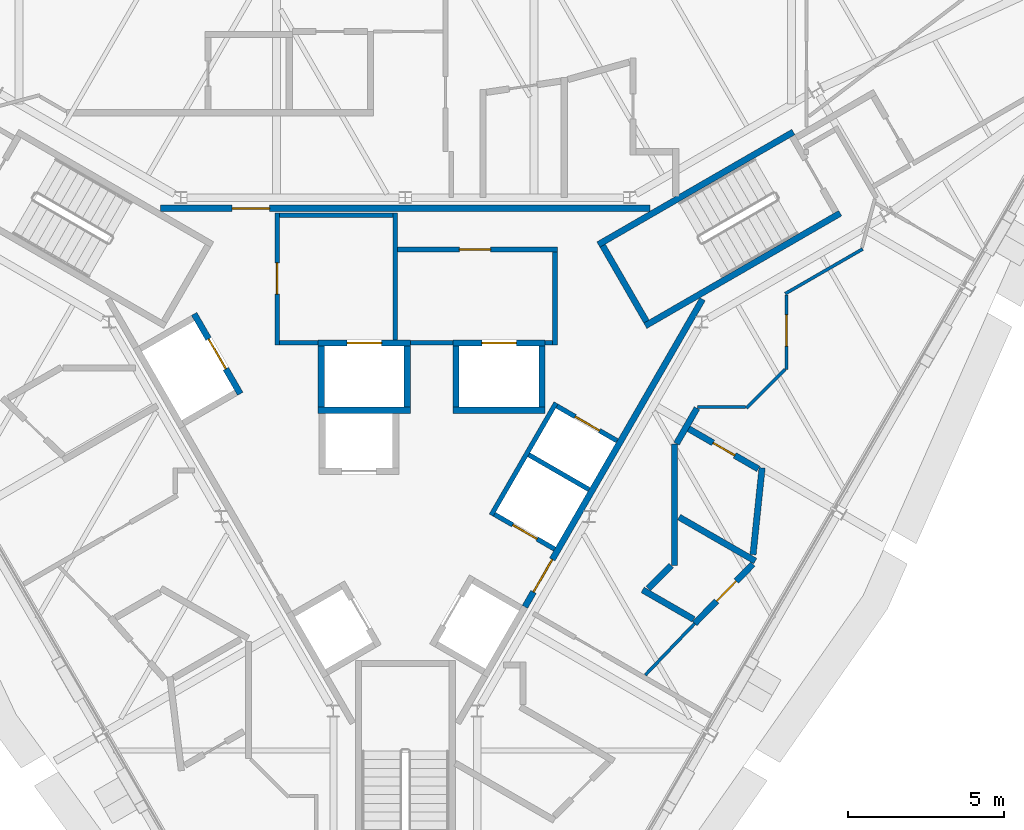
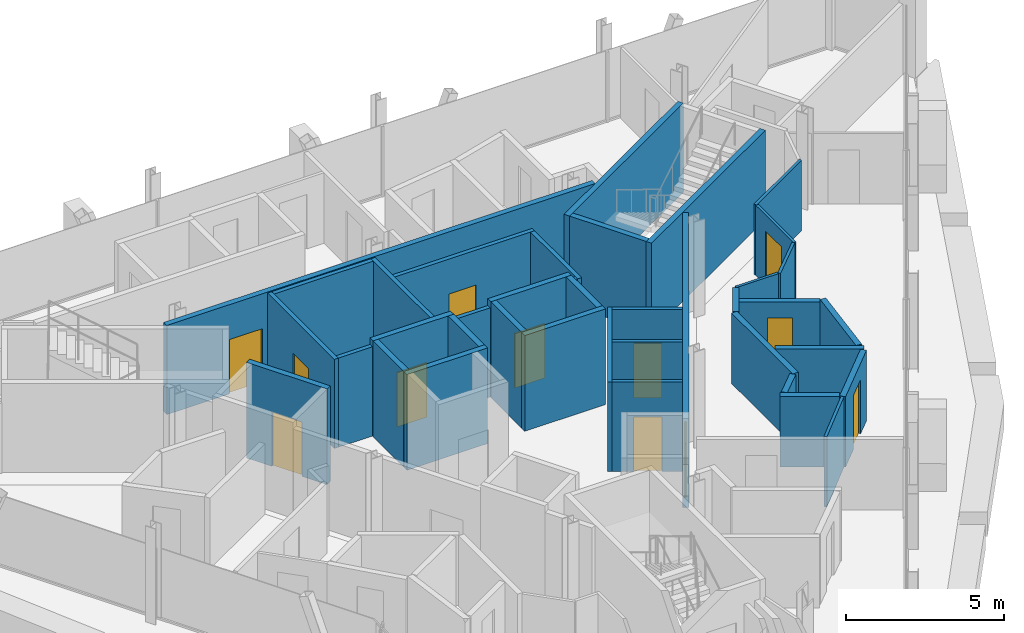
# One storey, part 9 of 13: 39 walls, 12 doors, 12 openings.
"""IFC4 building model written with IfcOpenShell, lengths in metres."""

import ifcopenshell
import ifcopenshell.guid

model = None  # the IFC model being written
_history = None  # IfcOwnerHistory: only IFC2X3 demands one
_inside = {}  # id of a spatial element -> (the spatial element, [elements in it])
_under = {}  # id of a project, library or spatial element -> (it, [spatial elements below it])
_declared = {}  # id of a project -> (the project, [libraries it declares])
_typed = {}  # id of a type object -> (the type object, [elements of that type])
_made_of = {}  # id of a material, layer set ... -> (it, [elements and type objects made of it])


def new_model(schema):
    """Start an empty IFC model of exactly this schema.

    Asked for "IFC4X3", IfcOpenShell would pick the latest addendum, in which some entities
    have other attributes; the version numbers below select the first issue.
    IFC2X3 requires an IfcOwnerHistory on every rooted entity: one is made here for all.
    """
    global model, _history
    if schema == "IFC4X3":
        model = ifcopenshell.file(schema_version=(4, 3, 0, 0))
    else:
        model = ifcopenshell.file(schema=schema)
    _inside.clear()
    _under.clear()
    _declared.clear()
    _typed.clear()
    _made_of.clear()
    _history = None
    if model.schema == "IFC2X3":
        org = make("IfcOrganization", Name="unknown")
        user = make(
            "IfcPersonAndOrganization",
            ThePerson=make("IfcPerson", FamilyName="unknown"),
            TheOrganization=org,
        )
        app = make(
            "IfcApplication",
            ApplicationDeveloper=org,
            Version="unknown",
            ApplicationFullName="unknown",
            ApplicationIdentifier="unknown",
        )
        _history = make(
            "IfcOwnerHistory",
            OwningUser=user,
            OwningApplication=app,
            ChangeAction="ADDED",
            CreationDate=0,
        )
    return model


def make(cls, **values):
    """One entity of the class cls with the attributes given. An attribute that is None is left unset."""
    return model.create_entity(
        cls, **{name: value for name, value in values.items() if value is not None}
    )


def rooted(cls, **values):
    """An entity with a GlobalId (a new one), such as an element, a storey or a relation."""
    return make(cls, GlobalId=ifcopenshell.guid.new(), OwnerHistory=_history, **values)


def si_unit(unit_type, name, prefix=None):
    """IfcSIUnit, for example si_unit("LENGTHUNIT", "METRE", prefix="MILLI")."""
    return make("IfcSIUnit", UnitType=unit_type, Prefix=prefix, Name=name)


def assignment(units):
    """IfcUnitAssignment: the units of a project."""
    return None if units is None else make("IfcUnitAssignment", Units=units)


def point(xyz):
    """IfcCartesianPoint."""
    return None if xyz is None else make("IfcCartesianPoint", Coordinates=xyz)


def direction(xyz):
    """IfcDirection."""
    return None if xyz is None else make("IfcDirection", DirectionRatios=xyz)


def frame(location, z_axis=None, x_axis=None):
    """IfcAxis2Placement3D, a coordinate frame: its origin and axes. An axis left out is left unset."""
    return make(
        "IfcAxis2Placement3D",
        Location=point(location),
        Axis=direction(z_axis),
        RefDirection=direction(x_axis),
    )


def frame_2d(location, x_axis=None):
    """IfcAxis2Placement2D, a coordinate frame in the plane: its origin and x axis."""
    return make(
        "IfcAxis2Placement2D", Location=point(location), RefDirection=direction(x_axis)
    )


def origin():
    """The frame at (0, 0, 0) with its axes left unset."""
    return frame((0.0, 0.0, 0.0))


def place(relative_to, where):
    """IfcLocalPlacement: puts the frame where relative to a parent placement (None: the world)."""
    return make(
        "IfcLocalPlacement", PlacementRelTo=relative_to, RelativePlacement=where
    )


def context(
    kind, dimensions, precision=None, world=None, true_north=None, identifier=None
):
    """IfcGeometricRepresentationContext, for example the 3D "Model" context."""
    return make(
        "IfcGeometricRepresentationContext",
        ContextIdentifier=identifier,
        ContextType=kind,
        CoordinateSpaceDimension=dimensions,
        Precision=precision,
        WorldCoordinateSystem=world,
        TrueNorth=true_north,
    )


def subcontext(parent, identifier, kind, view, scale=None):
    """IfcGeometricRepresentationSubContext, for example "Body" below "Model"."""
    return make(
        "IfcGeometricRepresentationSubContext",
        ContextIdentifier=identifier,
        ContextType=kind,
        ParentContext=parent,
        TargetScale=scale,
        TargetView=view,
    )


def project(units=None, contexts=None):
    """IfcProject with its units and contexts."""
    return rooted(
        "IfcProject",
        Name="project",
        RepresentationContexts=contexts,
        UnitsInContext=assignment(units),
    )


def spatial(cls, under=None, at=None, **own):
    """A site, building, storey or space (cls), placed at a placement, below another one or the project."""
    s = rooted(cls, ObjectPlacement=at, **own)
    if under is not None:
        _under.setdefault(under.id(), (under, []))[1].append(s)
    return s


def profile(cls, at=None, kind="AREA", **sizes):
    """A parametric profile (cls). Its sizes go by their IFC names, for example OverallWidth=200.0."""
    return make(cls, ProfileType=kind, Position=at, **sizes)


def rectangle(**sizes):
    """IfcRectangleProfileDef."""
    return profile("IfcRectangleProfileDef", **sizes)


def extrude(swept, where, along, depth):
    """IfcExtrudedAreaSolid: the profile swept, set in the frame where, extruded along a direction by depth."""
    return make(
        "IfcExtrudedAreaSolid",
        SweptArea=swept,
        Position=where,
        ExtrudedDirection=direction(along),
        Depth=depth,
    )


def shape(context_of_items, identifier, shape_type, items):
    """IfcShapeRepresentation: the items that make up one representation, for example the "Body"."""
    return make(
        "IfcShapeRepresentation",
        ContextOfItems=context_of_items,
        RepresentationIdentifier=identifier,
        RepresentationType=shape_type,
        Items=items,
    )


def material(Name=None, Category=None):
    """IfcMaterial."""
    return make("IfcMaterial", Name=Name, Category=Category)


def layer(
    of_material, thickness, ventilated=None, Name=None, Category=None, Priority=None
):
    """IfcMaterialLayer: one layer of a wall or slab, of a material (None: an air gap)."""
    return make(
        "IfcMaterialLayer",
        Material=of_material,
        LayerThickness=thickness,
        IsVentilated=ventilated,
        Name=Name,
        Category=Category,
        Priority=Priority,
    )


def layer_set(layers, Name=None):
    """IfcMaterialLayerSet."""
    return make("IfcMaterialLayerSet", MaterialLayers=layers, LayerSetName=Name)


def made_of(thing, what):
    """Note that an element or type object is made of a material, layer set ...; save() writes the relation."""
    if what is not None:
        _made_of.setdefault(what.id(), (what, []))[1].append(thing)
    return thing


def type_object(cls, material=None, **own):
    """A type object (cls), such as IfcWallType, which elements share."""
    return made_of(rooted(cls, **own), material)


def element(
    cls,
    number,
    at=None,
    inside=None,
    cuts=None,
    type_object=None,
    material=None,
    context=None,
    identifier="Body",
    shape_type=None,
    held_by="IfcProductDefinitionShape",
    body=None,
    shapes=None,
    **own,
):
    """One element of the class cls, such as IfcWall. Its Tag is "e" and its number.

    at: its placement. inside: the storey or other place that contains it. cuts: it is an
    opening in that element (IfcRelVoidsElement). A single representation is given by context,
    identifier, shape_type and body (its items); several are given by shapes. held_by: the class
    of the entity that holds the representations. save() writes the other relations.
    """
    e = rooted(cls, Tag="e%d" % number, ObjectPlacement=at, **own)
    if body is not None:
        shapes = [shape(context, identifier, shape_type, body)]
    if shapes is not None:
        e.Representation = make(held_by, Representations=shapes)
    if inside is not None:
        _inside.setdefault(inside.id(), (inside, []))[1].append(e)
    if cuts is not None:
        rooted(
            "IfcRelVoidsElement", RelatingBuildingElement=cuts, RelatedOpeningElement=e
        )
    if type_object is not None:
        _typed.setdefault(type_object.id(), (type_object, []))[1].append(e)
    return made_of(e, material)


def fill(opening, filler):
    """IfcRelFillsElement: the door or window that sits in an opening."""
    return rooted(
        "IfcRelFillsElement",
        RelatingOpeningElement=opening,
        RelatedBuildingElement=filler,
    )


def aggregate(whole, parts):
    """IfcRelAggregates: a whole, such as a stair, and the parts it consists of."""
    return rooted("IfcRelAggregates", RelatingObject=whole, RelatedObjects=parts)


def save(model, path):
    """Write the relations noted so far, then the file.

    IfcRelAggregates (storeys below a building ...), IfcRelContainedInSpatialStructure (elements
    in a storey), IfcRelDefinesByType, IfcRelAssociatesMaterial and IfcRelDeclares: one each for
    every whole, place, type object, material and project.
    """
    for whole, parts in _under.values():
        aggregate(whole, parts)
    for where, things in _inside.values():
        rooted(
            "IfcRelContainedInSpatialStructure",
            RelatedElements=things,
            RelatingStructure=where,
        )
    for kind, things in _typed.values():
        rooted("IfcRelDefinesByType", RelatedObjects=things, RelatingType=kind)
    for what, things in _made_of.values():
        rooted("IfcRelAssociatesMaterial", RelatedObjects=things, RelatingMaterial=what)
    for by, libraries in _declared.values():
        rooted("IfcRelDeclares", RelatingContext=by, RelatedDefinitions=libraries)
    model.write(path)


model = new_model("IFC4")

# Units and contexts
model_context = context("Model", 3, precision=1e-05, world=origin(), true_north=direction((0.0, 1.0)))
body_context = subcontext(model_context, "Body", "Model", "MODEL_VIEW")
ifc_project = project(units=[si_unit("LENGTHUNIT", "METRE"), si_unit("AREAUNIT", "SQUARE_METRE"), si_unit("VOLUMEUNIT", "CUBIC_METRE"), si_unit("PLANEANGLEUNIT", "RADIAN"), si_unit("MASSUNIT", "GRAM", prefix="KILO")], contexts=[model_context])

# Site, building, storey
site_placement = place(None, origin())
site = spatial("IfcSite", under=ifc_project, at=site_placement, CompositionType="ELEMENT")
building_placement = place(site_placement, origin())
building = spatial("IfcBuilding", under=site, at=building_placement, Name="Verrane Prism Tower", CompositionType="ELEMENT")
storey_placement = place(building_placement, frame((0.0, 0.0, 289.89990234375)))
storey = spatial("IfcBuildingStorey", under=building, at=storey_placement, Name="L73", CompositionType="ELEMENT", Elevation=289.89990234375)

# Wall, opening, door
ifc_material_1 = material(Name="Gypsum board partition", Category="other")
ifc_layer_1 = layer(ifc_material_1, 0.199951171875)
ifc_layer_set_1 = layer_set([ifc_layer_1], Name="CW-200 core boundary wall 2 h")
wall_type_1 = type_object("IfcWallType", Name="CW-200 core boundary wall 2 h", PredefinedType="PARTITIONING", material=ifc_layer_set_1)
wall_1_placement = place(storey_placement, frame((7.8291015625, 6.4599609375, 0.0), z_axis=(0.0, 0.0, 1.0), x_axis=(-1.0, 0.0, 0.0)))
wall_1 = element("IfcWall", 1, at=wall_1_placement, inside=storey, type_object=wall_type_1, Name="Core boundary wall CW3-002", PredefinedType="PARTITIONING", context=body_context, shape_type="SweptSolid", body=[
    extrude(rectangle(XDim=15.658203125, YDim=0.199951171875, at=frame_2d((7.8291015625, 0.0))), origin(), (0.0, 0.0, 1.0), 3.4501953125),
])
opening_1_placement = place(wall_1_placement, frame((12.16796875, 0.0, 0.0)))
opening_1 = element("IfcOpeningElement", 2, at=opening_1_placement, cuts=wall_1, Name="Opening D72509", PredefinedType="OPENING", context=body_context, shape_type="SweptSolid", body=[
    extrude(rectangle(XDim=1.199951171875, YDim=2.10009765625, at=frame_2d((0.60009765625, 1.050048828125))), frame((0.0, 0.10986328125, 0.0), z_axis=(0.0, -1.0, 0.0), x_axis=(1.0, 0.0, 0.0)), (0.0, 0.0, 1.0), 0.219970703125),
])
ifc_material_2 = material(Name="Timber veneered door leaf", Category="wood")
door_type_1 = type_object("IfcDoorType", Name="DR-1200x2100 FD60 single leaf lift lobby", OperationType="NOTDEFINED", PredefinedType="DOOR", material=ifc_material_2)
door_1_placement = place(opening_1_placement, origin())
door_1 = element("IfcDoor", 3, at=door_1_placement, inside=storey, type_object=door_type_1, Name="Lift lobby door D72509", OperationType="SINGLE_SWING_RIGHT", OverallHeight=2.10009765625, OverallWidth=1.199951171875, PredefinedType="DOOR", context=body_context, shape_type="SweptSolid", body=[
    extrude(rectangle(XDim=1.199951171875, YDim=2.10009765625, at=frame_2d((0.60009765625, 1.050048828125))), frame((0.0, 0.02490234375, 0.0), z_axis=(0.0, -1.0, 0.0), x_axis=(1.0, 0.0, 0.0)), (0.0, 0.0, 1.0), 0.050048828125),
])
fill(opening_1, door_1)

wall_2_placement = place(storey_placement, frame((3.827880859375, -6.2900390625, 0.0), z_axis=(0.0, 0.0, 1.0), x_axis=(0.499979739078, 0.866037101117, 0.0)))
wall_2 = element("IfcWall", 4, at=wall_2_placement, inside=storey, type_object=wall_type_1, Name="Core boundary wall CW3-006", PredefinedType="PARTITIONING", context=body_context, shape_type="SweptSolid", body=[
    extrude(rectangle(XDim=11.36279296875, YDim=0.199951171875, at=frame_2d((5.681396484375, 0.0))), origin(), (0.0, 0.0, 1.0), 3.4501953125),
])
opening_2_placement = place(wall_2_placement, frame((0.550048828125, 0.0, 0.0)))
opening_2 = element("IfcOpeningElement", 5, at=opening_2_placement, cuts=wall_2, Name="Opening D72514", PredefinedType="OPENING", context=body_context, shape_type="SweptSolid", body=[
    extrude(rectangle(XDim=1.199951171875, YDim=2.10009765625, at=frame_2d((0.60009765625, 1.050048828125))), frame((0.0, 0.10986328125, 0.0), z_axis=(0.0, -1.0, 0.0), x_axis=(1.0, 0.0, 0.0)), (0.0, 0.0, 1.0), 0.219970703125),
])
door_2_placement = place(opening_2_placement, origin())
door_2 = element("IfcDoor", 6, at=door_2_placement, inside=storey, type_object=door_type_1, Name="Lift lobby door D72514", OperationType="SINGLE_SWING_RIGHT", OverallHeight=2.10009765625, OverallWidth=1.199951171875, PredefinedType="DOOR", context=body_context, shape_type="SweptSolid", body=[
    extrude(rectangle(XDim=1.199951171875, YDim=2.10009765625, at=frame_2d((0.60009765625, 1.050048828125))), frame((0.0, 0.02490234375, 0.0), z_axis=(0.0, -1.0, 0.0), x_axis=(1.0, 0.0, 0.0)), (0.0, 0.0, 1.0), 0.050048828125),
])
fill(opening_2, door_2)

# Walls
ifc_material_3 = material(Name="Concrete C40/50", Category="concrete")
ifc_layer_2 = layer(ifc_material_3, 0.199951171875)
ifc_layer_set_2 = layer_set([ifc_layer_2], Name="CW-200 stair core wall concrete C40/50 3 h")
wall_type_2 = type_object("IfcWallType", Name="CW-200 stair core wall concrete C40/50 3 h", PredefinedType="PARTITIONING", material=ifc_layer_set_2)
for number, where, z_axis, x_axis, name in (
    (7, (6.17822265625, 5.299072265625, 0.0), (0.0, 0.0, 1.0), (0.866033125095, 0.499986626058, 0.0), "Stair 1 enclosure wall"),
    (8, (7.67822265625, 2.700927734375, 0.0), (0.0, 0.0, 1.0), (0.866018442252, 0.500012057535, 0.0), "Stair 1 enclosure wall"),
):
    element("IfcWall", number, at=place(storey_placement, frame(where, z_axis=z_axis, x_axis=x_axis)), inside=storey, type_object=wall_type_2, Name=name, PredefinedType="PARTITIONING", context=body_context, shape_type="SweptSolid", body=[
        extrude(rectangle(XDim=7.199951171875, YDim=0.199951171875, at=frame_2d((3.60009765625, 0.0))), origin(), (0.0, 0.0, 1.0), 3.4501953125),
    ])
wall_3_placement = place(storey_placement, frame((7.71484375, 2.837646484375, 0.0), z_axis=(0.0, 0.0, 1.0), x_axis=(-0.500049511043, 0.865996816683, 0.0)))
element("IfcWall", 9, at=wall_3_placement, inside=storey, type_object=wall_type_2, Name="Stair 1 enclosure wall", PredefinedType="PARTITIONING", context=body_context, shape_type="SweptSolid", body=[
    extrude(rectangle(XDim=2.800048828125, YDim=0.199951171875, at=frame_2d((1.39990234375, 0.0))), origin(), (0.0, 0.0, 1.0), 3.4501953125),
])
ifc_material_4 = material(Name="Gypsum board shaft wall assembly", Category="other")
ifc_layer_3 = layer(ifc_material_4, 0.199951171875)
ifc_layer_set_3 = layer_set([ifc_layer_3], Name="HW-200 lift shaft wall 2 h")
wall_type_3 = type_object("IfcWallType", Name="HW-200 lift shaft wall 2 h", PredefinedType="PARTITIONING", material=ifc_layer_set_3)
wall_4_placement = place(storey_placement, frame((-2.784912109375, 0.0, 0.0), z_axis=(0.0, 0.0, 1.0), x_axis=(1.0, 0.0, 0.0)))
element("IfcWall", 10, at=wall_4_placement, inside=storey, type_object=wall_type_3, Name="Lift shaft wall", PredefinedType="PARTITIONING", context=body_context, shape_type="SweptSolid", body=[
    extrude(rectangle(XDim=2.949951171875, YDim=0.199951171875, at=frame_2d((1.47509765625, 0.0))), origin(), (0.0, 0.0, 1.0), 3.7001953125),
])
wall_5_placement = place(storey_placement, frame((1.52490234375, 0.0, 0.0), z_axis=(0.0, 0.0, 1.0), x_axis=(1.0, 0.0, 0.0)))
element("IfcWall", 11, at=wall_5_placement, inside=storey, type_object=wall_type_3, Name="Lift shaft wall", PredefinedType="PARTITIONING", context=body_context, shape_type="SweptSolid", body=[
    extrude(rectangle(XDim=2.9501953125, YDim=0.199951171875, at=frame_2d((1.47509765625, 0.0))), origin(), (0.0, 0.0, 1.0), 3.7001953125),
])

# Wall, opening, door
wall_6_placement = place(storey_placement, frame((-2.784912109375, 2.14990234375, 0.0), z_axis=(0.0, 0.0, 1.0), x_axis=(1.0, 0.0, 0.0)))
wall_6 = element("IfcWall", 12, at=wall_6_placement, inside=storey, type_object=wall_type_3, Name="Lift shaft wall", PredefinedType="PARTITIONING", context=body_context, shape_type="SweptSolid", body=[
    extrude(rectangle(XDim=2.949951171875, YDim=0.199951171875, at=frame_2d((1.47509765625, 0.0))), origin(), (0.0, 0.0, 1.0), 3.7001953125),
])
opening_3_placement = place(wall_6_placement, frame((0.925048828125, 0.0, 0.0)))
opening_3 = element("IfcOpeningElement", 13, at=opening_3_placement, cuts=wall_6, Name="Opening D72506", PredefinedType="OPENING", context=body_context, shape_type="SweptSolid", body=[
    extrude(rectangle(XDim=1.10009765625, YDim=2.10009765625, at=frame_2d((0.550048828125, 1.050048828125))), frame((0.0, 0.10986328125, 0.0), z_axis=(0.0, -1.0, 0.0), x_axis=(1.0, 0.0, 0.0)), (0.0, 0.0, 1.0), 0.219970703125),
])
ifc_material_5 = material(Name="Stainless steel sliding landing door", Category="steel")
door_type_2 = type_object("IfcDoorType", Name="LD-1100x2100 lift landing door FD90 sliding", OperationType="NOTDEFINED", PredefinedType="DOOR", material=ifc_material_5)
door_3_placement = place(opening_3_placement, origin())
door_3 = element("IfcDoor", 14, at=door_3_placement, inside=storey, type_object=door_type_2, Name="Fire service lift 1 landing door", OperationType="SLIDING_TO_LEFT", OverallHeight=2.10009765625, OverallWidth=1.10009765625, PredefinedType="DOOR", context=body_context, shape_type="SweptSolid", body=[
    extrude(rectangle(XDim=1.10009765625, YDim=2.10009765625, at=frame_2d((0.550048828125, 1.050048828125))), frame((0.0, 0.02490234375, 0.0), z_axis=(0.0, -1.0, 0.0), x_axis=(1.0, 0.0, 0.0)), (0.0, 0.0, 1.0), 0.050048828125),
])
fill(opening_3, door_3)

wall_7_placement = place(storey_placement, frame((1.52490234375, 2.14990234375, 0.0), z_axis=(0.0, 0.0, 1.0), x_axis=(1.0, 0.0, 0.0)))
wall_7 = element("IfcWall", 15, at=wall_7_placement, inside=storey, type_object=wall_type_3, Name="Lift shaft wall", PredefinedType="PARTITIONING", context=body_context, shape_type="SweptSolid", body=[
    extrude(rectangle(XDim=2.9501953125, YDim=0.199951171875, at=frame_2d((1.47509765625, 0.0))), origin(), (0.0, 0.0, 1.0), 3.7001953125),
])
opening_4_placement = place(wall_7_placement, frame((0.925048828125, 0.0, 0.0)))
opening_4 = element("IfcOpeningElement", 16, at=opening_4_placement, cuts=wall_7, Name="Opening D72507", PredefinedType="OPENING", context=body_context, shape_type="SweptSolid", body=[
    extrude(rectangle(XDim=1.10009765625, YDim=2.10009765625, at=frame_2d((0.550048828125, 1.050048828125))), frame((0.0, 0.10986328125, 0.0), z_axis=(0.0, -1.0, 0.0), x_axis=(1.0, 0.0, 0.0)), (0.0, 0.0, 1.0), 0.219970703125),
])
door_4_placement = place(opening_4_placement, origin())
door_4 = element("IfcDoor", 17, at=door_4_placement, inside=storey, type_object=door_type_2, Name="Fire service lift 2 landing door", OperationType="SLIDING_TO_RIGHT", OverallHeight=2.10009765625, OverallWidth=1.10009765625, PredefinedType="DOOR", context=body_context, shape_type="SweptSolid", body=[
    extrude(rectangle(XDim=1.10009765625, YDim=2.10009765625, at=frame_2d((0.550048828125, 1.050048828125))), frame((0.0, 0.02490234375, 0.0), z_axis=(0.0, -1.0, 0.0), x_axis=(1.0, 0.0, 0.0)), (0.0, 0.0, 1.0), 0.050048828125),
])
fill(opening_4, door_4)

# Walls
for number, where, z_axis, x_axis, name in (
    (18, (4.375, 0.10009765625, 0.0), (0.0, 0.0, 1.0), (0.0, 1.0, 0.0), "Lift shaft wall"),
    (19, (1.625, 0.10009765625, 0.0), (0.0, 0.0, 1.0), (0.0, 1.0, 0.0), "Lift shaft wall"),
    (20, (0.06494140625, 0.10009765625, 0.0), (0.0, 0.0, 1.0), (0.0, 1.0, 0.0), "Lift shaft wall"),
    (21, (-2.68505859375, 0.10009765625, 0.0), (0.0, 0.0, 1.0), (0.0, 1.0, 0.0), "Lift shaft wall"),
):
    element("IfcWall", number, at=place(storey_placement, frame(where, z_axis=z_axis, x_axis=x_axis)), inside=storey, type_object=wall_type_3, Name=name, PredefinedType="PARTITIONING", context=body_context, shape_type="SweptSolid", body=[
        extrude(rectangle(XDim=1.949951171875, YDim=0.199951171875, at=frame_2d((0.97509765625, 0.0))), origin(), (0.0, 0.0, 1.0), 3.7001953125),
    ])

# Wall, opening, door
wall_8_placement = place(storey_placement, frame((-5.280029296875, 0.525390625, 0.0), z_axis=(0.0, 0.0, 1.0), x_axis=(-0.500037662692, 0.866003658127, 0.0)))
wall_8 = element("IfcWall", 22, at=wall_8_placement, inside=storey, type_object=wall_type_3, Name="Lift shaft wall", PredefinedType="PARTITIONING", context=body_context, shape_type="SweptSolid", body=[
    extrude(rectangle(XDim=2.949951171875, YDim=0.199951171875, at=frame_2d((1.47509765625, 0.0))), origin(), (0.0, 0.0, 1.0), 3.7001953125),
])
opening_5_placement = place(wall_8_placement, frame((0.925048828125, 0.0, 0.0)))
opening_5 = element("IfcOpeningElement", 23, at=opening_5_placement, cuts=wall_8, Name="Opening D72508", PredefinedType="OPENING", context=body_context, shape_type="SweptSolid", body=[
    extrude(rectangle(XDim=1.10009765625, YDim=2.10009765625, at=frame_2d((0.550048828125, 1.050048828125))), frame((0.0, 0.10986328125, 0.0), z_axis=(0.0, -1.0, 0.0), x_axis=(1.0, 0.0, 0.0)), (0.0, 0.0, 1.0), 0.219970703125),
])
door_5_placement = place(opening_5_placement, origin())
door_5 = element("IfcDoor", 24, at=door_5_placement, inside=storey, type_object=door_type_2, Name="Service lift 1 landing door", OperationType="SLIDING_TO_LEFT", OverallHeight=2.10009765625, OverallWidth=1.10009765625, PredefinedType="DOOR", context=body_context, shape_type="SweptSolid", body=[
    extrude(rectangle(XDim=1.10009765625, YDim=2.10009765625, at=frame_2d((0.550048828125, 1.050048828125))), frame((0.0, 0.02490234375, 0.0), z_axis=(0.0, -1.0, 0.0), x_axis=(1.0, 0.0, 0.0)), (0.0, 0.0, 1.0), 0.050048828125),
])
fill(opening_5, door_5)

ifc_material_6 = material(Name="Gypsum board partition", Category="other")
ifc_layer_4 = layer(ifc_material_6, 0.14990234375)
ifc_layer_set_4 = layer_set([ifc_layer_4], Name="LF-150 firefighting lobby wall 1 h")
wall_type_4 = type_object("IfcWallType", Name="LF-150 firefighting lobby wall 1 h", PredefinedType="PARTITIONING", material=ifc_layer_set_4)
wall_9_placement = place(storey_placement, frame((-4.10009765625, 2.0849609375, 0.0), z_axis=(0.0, 0.0, 1.0), x_axis=(0.0, 1.0, 0.0)))
wall_9 = element("IfcWall", 25, at=wall_9_placement, inside=storey, type_object=wall_type_4, Name="Firefighting lobby wall LF1-001", PredefinedType="PARTITIONING", context=body_context, shape_type="SweptSolid", body=[
    extrude(rectangle(XDim=4.22998046875, YDim=0.14990234375, at=frame_2d((2.114990234375, 0.0))), origin(), (0.0, 0.0, 1.0), 3.4501953125),
])
opening_6_placement = place(wall_9_placement, frame((1.625, 0.0, 0.0)))
opening_6 = element("IfcOpeningElement", 26, at=opening_6_placement, cuts=wall_9, Name="Opening D72511", PredefinedType="OPENING", context=body_context, shape_type="SweptSolid", body=[
    extrude(rectangle(XDim=1.0, YDim=2.10009765625, at=frame_2d((0.5, 1.050048828125))), frame((0.0, 0.0849609375, 0.0), z_axis=(0.0, -1.0, 0.0), x_axis=(1.0, 0.0, 0.0)), (0.0, 0.0, 1.0), 0.169921875),
])
ifc_material_7 = material(Name="Timber veneered door leaf", Category="wood")
door_type_3 = type_object("IfcDoorType", Name="DR-1000x2100 FD60 single leaf firefighting lobby", OperationType="NOTDEFINED", PredefinedType="DOOR", material=ifc_material_7)
door_6_placement = place(opening_6_placement, origin())
door_6 = element("IfcDoor", 27, at=door_6_placement, inside=storey, type_object=door_type_3, Name="Firefighting lobby door D72511", OperationType="SINGLE_SWING_RIGHT", OverallHeight=2.10009765625, OverallWidth=1.0, PredefinedType="DOOR", context=body_context, shape_type="SweptSolid", body=[
    extrude(rectangle(XDim=1.0, YDim=2.10009765625, at=frame_2d((0.5, 1.050048828125))), frame((0.0, 0.02490234375, 0.0), z_axis=(0.0, -1.0, 0.0), x_axis=(1.0, 0.0, 0.0)), (0.0, 0.0, 1.0), 0.050048828125),
])
fill(opening_6, door_6)

# Walls
wall_10_placement = place(storey_placement, frame((-4.02490234375, 2.159912109375, 0.0), z_axis=(0.0, 0.0, 1.0), x_axis=(1.0, 0.0, 0.0)))
element("IfcWall", 28, at=wall_10_placement, inside=storey, type_object=wall_type_4, Name="Firefighting lobby wall LF1-002", PredefinedType="PARTITIONING", context=body_context, shape_type="SweptSolid", body=[
    extrude(rectangle(XDim=1.23779296875, YDim=0.14990234375, at=frame_2d((0.618896484375, 0.0))), origin(), (0.0, 0.0, 1.0), 3.4501953125),
])
wall_11_placement = place(storey_placement, frame((-4.02490234375, 6.239990234375, 0.0), z_axis=(0.0, 0.0, 1.0), x_axis=(1.0, 0.0, 0.0)))
element("IfcWall", 29, at=wall_11_placement, inside=storey, type_object=wall_type_4, Name="Firefighting lobby wall LF1-003", PredefinedType="PARTITIONING", context=body_context, shape_type="SweptSolid", body=[
    extrude(rectangle(XDim=3.6298828125, YDim=0.14990234375, at=frame_2d((1.81494140625, 0.0))), origin(), (0.0, 0.0, 1.0), 3.4501953125),
])
wall_12_placement = place(storey_placement, frame((-0.320068359375, 2.251953125, 0.0), z_axis=(0.0, 0.0, 1.0), x_axis=(0.0, 1.0, 0.0)))
element("IfcWall", 30, at=wall_12_placement, inside=storey, type_object=wall_type_4, Name="Firefighting lobby wall LF1-004", PredefinedType="PARTITIONING", context=body_context, shape_type="SweptSolid", body=[
    extrude(rectangle(XDim=4.06298828125, YDim=0.14990234375, at=frame_2d((2.031494140625, 0.0))), origin(), (0.0, 0.0, 1.0), 3.4501953125),
])

# Wall, opening, door
wall_13_placement = place(storey_placement, frame((-0.2451171875, 5.139892578125, 0.0), z_axis=(0.0, 0.0, 1.0), x_axis=(1.0, 0.0, 0.0)))
wall_13 = element("IfcWall", 31, at=wall_13_placement, inside=storey, type_object=wall_type_4, Name="Firefighting lobby wall LF1-005", PredefinedType="PARTITIONING", context=body_context, shape_type="SweptSolid", body=[
    extrude(rectangle(XDim=5.110107421875, YDim=0.14990234375, at=frame_2d((2.55517578125, 0.0))), origin(), (0.0, 0.0, 1.0), 3.4501953125),
])
opening_7_placement = place(wall_13_placement, frame((1.97509765625, 0.0, 0.0)))
opening_7 = element("IfcOpeningElement", 32, at=opening_7_placement, cuts=wall_13, Name="Opening D72512", PredefinedType="OPENING", context=body_context, shape_type="SweptSolid", body=[
    extrude(rectangle(XDim=1.0, YDim=2.10009765625, at=frame_2d((0.5, 1.050048828125))), frame((0.0, 0.0849609375, 0.0), z_axis=(0.0, -1.0, 0.0), x_axis=(1.0, 0.0, 0.0)), (0.0, 0.0, 1.0), 0.169921875),
])
door_7_placement = place(opening_7_placement, origin())
door_7 = element("IfcDoor", 33, at=door_7_placement, inside=storey, type_object=door_type_3, Name="Firefighting lobby door D72512", OperationType="SINGLE_SWING_LEFT", OverallHeight=2.10009765625, OverallWidth=1.0, PredefinedType="DOOR", context=body_context, shape_type="SweptSolid", body=[
    extrude(rectangle(XDim=1.0, YDim=2.10009765625, at=frame_2d((0.5, 1.050048828125))), frame((0.0, 0.02490234375, 0.0), z_axis=(0.0, -1.0, 0.0), x_axis=(1.0, 0.0, 0.0)), (0.0, 0.0, 1.0), 0.050048828125),
])
fill(opening_7, door_7)

# Walls
wall_14_placement = place(storey_placement, frame((0.1669921875, 2.159912109375, 0.0), z_axis=(0.0, 0.0, 1.0), x_axis=(1.0, 0.0, 0.0)))
element("IfcWall", 34, at=wall_14_placement, inside=storey, type_object=wall_type_4, Name="Firefighting lobby wall LF1-006", PredefinedType="PARTITIONING", context=body_context, shape_type="SweptSolid", body=[
    extrude(rectangle(XDim=1.35595703125, YDim=0.14990234375, at=frame_2d((0.677978515625, 0.0))), origin(), (0.0, 0.0, 1.0), 3.4501953125),
])
wall_15_placement = place(storey_placement, frame((4.47705078125, 2.159912109375, 0.0), z_axis=(0.0, 0.0, 1.0), x_axis=(1.0, 0.0, 0.0)))
element("IfcWall", 35, at=wall_15_placement, inside=storey, type_object=wall_type_4, Name="Firefighting lobby wall LF1-007", PredefinedType="PARTITIONING", context=body_context, shape_type="SweptSolid", body=[
    extrude(rectangle(XDim=0.238037109375, YDim=0.14990234375, at=frame_2d((0.119140625, 0.0))), origin(), (0.0, 0.0, 1.0), 3.4501953125),
])
wall_16_placement = place(storey_placement, frame((4.7900390625, 2.0849609375, 0.0), z_axis=(0.0, 0.0, 1.0), x_axis=(0.0, 1.0, 0.0)))
element("IfcWall", 36, at=wall_16_placement, inside=storey, type_object=wall_type_4, Name="Firefighting lobby wall LF1-008", PredefinedType="PARTITIONING", context=body_context, shape_type="SweptSolid", body=[
    extrude(rectangle(XDim=2.97998046875, YDim=0.14990234375, at=frame_2d((1.489990234375, 0.0))), origin(), (0.0, 0.0, 1.0), 3.4501953125),
])
ifc_material_8 = material(Name="Gypsum board partition", Category="other")
ifc_layer_5 = layer(ifc_material_8, 0.10009765625)
ifc_layer_set_5 = layer_set([ifc_layer_5], Name="PW-100 room partition")
wall_type_5 = type_object("IfcWallType", Name="PW-100 room partition", PredefinedType="PARTITIONING", material=ifc_layer_set_5)
wall_17_placement = place(storey_placement, frame((7.680908203125, -8.470458984375, 0.0), z_axis=(0.0, 0.0, 1.0), x_axis=(0.691774963189, 0.722113149239, 0.0)))
element("IfcWall", 37, at=wall_17_placement, inside=storey, type_object=wall_type_5, Name="Room partition 058", PredefinedType="PARTITIONING", context=body_context, shape_type="SweptSolid", body=[
    extrude(rectangle(XDim=2.27734375, YDim=0.10009765625, at=frame_2d((1.138671875, 0.0))), origin(), (0.0, 0.0, 1.0), 2.72314453125),
])
wall_18_placement = place(storey_placement, frame((9.35302734375, 0.10107421875, 0.0), z_axis=(0.0, 0.0, 1.0), x_axis=(1.0, 0.0, 0.0)))
element("IfcWall", 38, at=wall_18_placement, inside=storey, type_object=wall_type_5, Name="Room partition 067", PredefinedType="PARTITIONING", context=body_context, shape_type="SweptSolid", body=[
    extrude(rectangle(XDim=1.52587890625, YDim=0.10009765625, at=frame_2d((0.762939453125, 0.0))), origin(), (0.0, 0.0, 1.0), 2.72314453125),
])
wall_19_placement = place(storey_placement, frame((10.91357421875, 0.065673828125, 0.0), z_axis=(0.0, 0.0, 1.0), x_axis=(0.707106781187, 0.707106781187, 0.0)))
element("IfcWall", 39, at=wall_19_placement, inside=storey, type_object=wall_type_5, Name="Room partition 068", PredefinedType="PARTITIONING", context=body_context, shape_type="SweptSolid", body=[
    extrude(rectangle(XDim=1.747802734375, YDim=0.10009765625, at=frame_2d((0.8740234375, 0.0))), origin(), (0.0, 0.0, 1.0), 2.72314453125),
])

# Wall, opening, door
wall_20_placement = place(storey_placement, frame((12.198974609375, 3.681884765625, 0.0), z_axis=(0.0, 0.0, 1.0), x_axis=(0.0, -1.0, 0.0)))
wall_20 = element("IfcWall", 40, at=wall_20_placement, inside=storey, type_object=wall_type_5, Name="Room partition 070", PredefinedType="PARTITIONING", context=body_context, shape_type="SweptSolid", body=[
    extrude(rectangle(XDim=2.380859375, YDim=0.10009765625, at=frame_2d((1.1904296875, 0.0))), origin(), (0.0, 0.0, 1.0), 2.72314453125),
])
opening_8_placement = place(wall_20_placement, frame((0.631103515625, 0.0, 0.0)))
opening_8 = element("IfcOpeningElement", 41, at=opening_8_placement, cuts=wall_20, Name="Opening D72005", PredefinedType="OPENING", context=body_context, shape_type="SweptSolid", body=[
    extrude(rectangle(XDim=1.0, YDim=2.10009765625, at=frame_2d((0.5, 1.050048828125))), frame((0.0, 0.06005859375, 0.0), z_axis=(0.0, -1.0, 0.0), x_axis=(1.0, 0.0, 0.0)), (0.0, 0.0, 1.0), 0.1201171875),
])
ifc_material_9 = material(Name="Timber veneered door leaf", Category="wood")
door_type_4 = type_object("IfcDoorType", Name="DR-1000x2100 single leaf inner", OperationType="NOTDEFINED", PredefinedType="DOOR", material=ifc_material_9)
door_8_placement = place(opening_8_placement, origin())
door_8 = element("IfcDoor", 42, at=door_8_placement, inside=storey, type_object=door_type_4, Name="Entrance Foyer door", OperationType="SINGLE_SWING_RIGHT", OverallHeight=2.10009765625, OverallWidth=1.0, PredefinedType="DOOR", context=body_context, shape_type="SweptSolid", body=[
    extrude(rectangle(XDim=1.0, YDim=2.10009765625, at=frame_2d((0.5, 1.050048828125))), frame((0.0, 0.02490234375, 0.0), z_axis=(0.0, -1.0, 0.0), x_axis=(1.0, 0.0, 0.0)), (0.0, 0.0, 1.0), 0.050048828125),
])
fill(opening_8, door_8)

# Walls
wall_21_placement = place(storey_placement, frame((12.15576171875, 3.72705078125, 0.0), z_axis=(0.0, 0.0, 1.0), x_axis=(0.866012137121, 0.500022977831, 0.0)))
element("IfcWall", 43, at=wall_21_placement, inside=storey, type_object=wall_type_5, Name="Room partition 071", PredefinedType="PARTITIONING", context=body_context, shape_type="SweptSolid", body=[
    extrude(rectangle(XDim=2.859619140625, YDim=0.10009765625, at=frame_2d((1.4296875, 0.0))), origin(), (0.0, 0.0, 1.0), 2.72314453125),
])
ifc_material_10 = material(Name="Gypsum board partition", Category="other")
ifc_layer_6 = layer(ifc_material_10, 0.199951171875)
ifc_layer_set_6 = layer_set([ifc_layer_6], Name="PW-200 plumbing wall")
wall_type_6 = type_object("IfcWallType", Name="PW-200 plumbing wall", PredefinedType="PARTITIONING", material=ifc_layer_set_6)
wall_22_placement = place(storey_placement, frame((7.77197265625, -5.7060546875, 0.0), z_axis=(0.0, 0.0, 1.0), x_axis=(0.707106781187, 0.707106781187, 0.0)))
element("IfcWall", 44, at=wall_22_placement, inside=storey, type_object=wall_type_6, Name="Plumbing wall 059", PredefinedType="PARTITIONING", context=body_context, shape_type="SweptSolid", body=[
    extrude(rectangle(XDim=1.043701171875, YDim=0.199951171875, at=frame_2d((0.52197265625, 0.0))), origin(), (0.0, 0.0, 1.0), 2.72314453125),
])
wall_23_placement = place(storey_placement, frame((7.593505859375, -5.748046875, 0.0), z_axis=(0.0, 0.0, 1.0), x_axis=(0.866049635583, -0.499958026946, 0.0)))
element("IfcWall", 45, at=wall_23_placement, inside=storey, type_object=wall_type_6, Name="Plumbing wall 060", PredefinedType="PARTITIONING", context=body_context, shape_type="SweptSolid", body=[
    extrude(rectangle(XDim=1.884033203125, YDim=0.199951171875, at=frame_2d((0.94189453125, 0.0))), origin(), (0.0, 0.0, 1.0), 2.72314453125),
])
wall_24_placement = place(storey_placement, frame((8.60888671875, -4.968994140625, 0.0), z_axis=(0.0, 0.0, 1.0), x_axis=(0.0, 1.0, 0.0)))
element("IfcWall", 46, at=wall_24_placement, inside=storey, type_object=wall_type_6, Name="Plumbing wall 061", PredefinedType="PARTITIONING", context=body_context, shape_type="SweptSolid", body=[
    extrude(rectangle(XDim=3.881103515625, YDim=0.199951171875, at=frame_2d((1.9404296875, 0.0))), origin(), (0.0, 0.0, 1.0), 2.72314453125),
])
wall_25_placement = place(storey_placement, frame((8.759033203125, -3.419677734375, 0.0), z_axis=(0.0, 0.0, 1.0), x_axis=(0.866098885879, -0.499872703674, 0.0)))
element("IfcWall", 47, at=wall_25_placement, inside=storey, type_object=wall_type_6, Name="Plumbing wall 062", PredefinedType="PARTITIONING", context=body_context, shape_type="SweptSolid", body=[
    extrude(rectangle(XDim=2.813232421875, YDim=0.199951171875, at=frame_2d((1.40673828125, 0.0))), origin(), (0.0, 0.0, 1.0), 2.72314453125),
])
wall_26_placement = place(storey_placement, frame((8.676513671875, -1.071044921875, 0.0), z_axis=(0.0, 0.0, 1.0), x_axis=(0.49993245451, 0.866064397679, 0.0)))
element("IfcWall", 48, at=wall_26_placement, inside=storey, type_object=wall_type_6, Name="Plumbing wall 063", PredefinedType="PARTITIONING", context=body_context, shape_type="SweptSolid", body=[
    extrude(rectangle(XDim=1.308349609375, YDim=0.199951171875, at=frame_2d((0.654296875, 0.0))), origin(), (0.0, 0.0, 1.0), 2.72314453125),
])

# Wall, opening, door
wall_27_placement = place(storey_placement, frame((11.29248046875, -1.87890625, 0.0), z_axis=(0.0, 0.0, 1.0), x_axis=(-0.866123870273, 0.499829412243, 0.0)))
wall_27 = element("IfcWall", 49, at=wall_27_placement, inside=storey, type_object=wall_type_6, Name="Plumbing wall 065", PredefinedType="PARTITIONING", context=body_context, shape_type="SweptSolid", body=[
    extrude(rectangle(XDim=2.56884765625, YDim=0.199951171875, at=frame_2d((1.284423828125, 0.0))), origin(), (0.0, 0.0, 1.0), 2.72314453125),
])
opening_9_placement = place(wall_27_placement, frame((0.86865234375, 0.0, 0.0)))
opening_9 = element("IfcOpeningElement", 50, at=opening_9_placement, cuts=wall_27, Name="Opening D72008", PredefinedType="OPENING", context=body_context, shape_type="SweptSolid", body=[
    extrude(rectangle(XDim=0.800048828125, YDim=2.10009765625, at=frame_2d((0.39990234375, 1.050048828125))), frame((0.0, 0.10986328125, 0.0), z_axis=(0.0, -1.0, 0.0), x_axis=(1.0, 0.0, 0.0)), (0.0, 0.0, 1.0), 0.219970703125),
])
ifc_material_11 = material(Name="Timber veneered door leaf", Category="wood")
door_type_5 = type_object("IfcDoorType", Name="DR-800x2100 single leaf inner", OperationType="NOTDEFINED", PredefinedType="DOOR", material=ifc_material_11)
door_9_placement = place(opening_9_placement, origin())
door_9 = element("IfcDoor", 51, at=door_9_placement, inside=storey, type_object=door_type_5, Name="Bathroom door", OperationType="SINGLE_SWING_LEFT", OverallHeight=2.10009765625, OverallWidth=0.800048828125, PredefinedType="DOOR", context=body_context, shape_type="SweptSolid", body=[
    extrude(rectangle(XDim=0.800048828125, YDim=2.10009765625, at=frame_2d((0.39990234375, 1.050048828125))), frame((0.0, 0.02490234375, 0.0), z_axis=(0.0, -1.0, 0.0), x_axis=(1.0, 0.0, 0.0)), (0.0, 0.0, 1.0), 0.050048828125),
])
fill(opening_9, door_9)

wall_28_placement = place(storey_placement, frame((9.259033203125, -6.8212890625, 0.0), z_axis=(0.0, 0.0, 1.0), x_axis=(0.700360124324, 0.713789672282, 0.0)))
wall_28 = element("IfcWall", 52, at=wall_28_placement, inside=storey, type_object=wall_type_6, Name="Plumbing wall 066", PredefinedType="PARTITIONING", context=body_context, shape_type="SweptSolid", body=[
    extrude(rectangle(XDim=2.654296875, YDim=0.199951171875, at=frame_2d((1.3271484375, 0.0))), origin(), (0.0, 0.0, 1.0), 2.72314453125),
])
opening_10_placement = place(wall_28_placement, frame((1.0, 0.0, 0.0)))
opening_10 = element("IfcOpeningElement", 53, at=opening_10_placement, cuts=wall_28, Name="Opening D72006", PredefinedType="OPENING", context=body_context, shape_type="SweptSolid", body=[
    extrude(rectangle(XDim=0.89990234375, YDim=2.10009765625, at=frame_2d((0.449951171875, 1.050048828125))), frame((0.0, 0.10986328125, 0.0), z_axis=(0.0, -1.0, 0.0), x_axis=(1.0, 0.0, 0.0)), (0.0, 0.0, 1.0), 0.219970703125),
])
ifc_material_12 = material(Name="Timber veneered door leaf", Category="wood")
door_type_6 = type_object("IfcDoorType", Name="DR-900x2100 single leaf inner", OperationType="NOTDEFINED", PredefinedType="DOOR", material=ifc_material_12)
door_10_placement = place(opening_10_placement, origin())
door_10 = element("IfcDoor", 54, at=door_10_placement, inside=storey, type_object=door_type_6, Name="Kitchen door", OperationType="SINGLE_SWING_RIGHT", OverallHeight=2.10009765625, OverallWidth=0.89990234375, PredefinedType="DOOR", context=body_context, shape_type="SweptSolid", body=[
    extrude(rectangle(XDim=0.89990234375, YDim=2.10009765625, at=frame_2d((0.449951171875, 1.050048828125))), frame((0.0, 0.02490234375, 0.0), z_axis=(0.0, -1.0, 0.0), x_axis=(1.0, 0.0, 0.0)), (0.0, 0.0, 1.0), 0.050048828125),
])
fill(opening_10, door_10)

# Walls
wall_29_placement = place(storey_placement, frame((11.125, -4.621826171875, 0.0), z_axis=(0.0, 0.0, 1.0), x_axis=(0.103952036587, 0.99458231137, 0.0)))
element("IfcWall", 55, at=wall_29_placement, inside=storey, type_object=wall_type_6, Name="Plumbing wall 069", PredefinedType="PARTITIONING", context=body_context, shape_type="SweptSolid", body=[
    extrude(rectangle(XDim=2.79248046875, YDim=0.199951171875, at=frame_2d((1.396240234375, 0.0))), origin(), (0.0, 0.0, 1.0), 2.72314453125),
])
ifc_material_13 = material(Name="Gypsum board partition", Category="other")
ifc_layer_7 = layer(ifc_material_13, 0.14990234375)
ifc_layer_set_7 = layer_set([ifc_layer_7], Name="RS-150 riser enclosure wall 1 h")
wall_type_7 = type_object("IfcWallType", Name="RS-150 riser enclosure wall 1 h", PredefinedType="PARTITIONING", material=ifc_layer_set_7)
wall_30_placement = place(storey_placement, frame((2.74853515625, -3.35888671875, 0.0), z_axis=(0.0, 0.0, 1.0), x_axis=(0.500017827812, 0.866015110648, 0.0)))
element("IfcWall", 56, at=wall_30_placement, inside=storey, type_object=wall_type_7, Name="Riser wall RS3-001", PredefinedType="PARTITIONING", context=body_context, shape_type="SweptSolid", body=[
    extrude(rectangle(XDim=4.149658203125, YDim=0.14990234375, at=frame_2d((2.07470703125, 0.0))), origin(), (0.0, 0.0, 1.0), 3.4501953125),
])

# Wall, opening, door
wall_31_placement = place(storey_placement, frame((2.85107421875, -3.33154296875, 0.0), z_axis=(0.0, 0.0, 1.0), x_axis=(0.866110524189, -0.499852538144, 0.0)))
wall_31 = element("IfcWall", 57, at=wall_31_placement, inside=storey, type_object=wall_type_7, Name="Riser wall RS3-002", PredefinedType="PARTITIONING", context=body_context, shape_type="SweptSolid", body=[
    extrude(rectangle(XDim=2.220458984375, YDim=0.14990234375, at=frame_2d((1.1103515625, 0.0))), origin(), (0.0, 0.0, 1.0), 3.4501953125),
])
opening_11_placement = place(wall_31_placement, frame((0.675048828125, 0.0, 0.0)))
opening_11 = element("IfcOpeningElement", 58, at=opening_11_placement, cuts=wall_31, Name="Opening D72513", PredefinedType="OPENING", context=body_context, shape_type="SweptSolid", body=[
    extrude(rectangle(XDim=0.89990234375, YDim=2.10009765625, at=frame_2d((0.449951171875, 1.050048828125))), frame((0.0, 0.0849609375, 0.0), z_axis=(0.0, -1.0, 0.0), x_axis=(1.0, 0.0, 0.0)), (0.0, 0.0, 1.0), 0.169921875),
])
ifc_material_14 = material(Name="Timber veneered door leaf", Category="wood")
door_type_7 = type_object("IfcDoorType", Name="DR-900x2100 FD60 single leaf riser", OperationType="NOTDEFINED", PredefinedType="DOOR", material=ifc_material_14)
door_11_placement = place(opening_11_placement, origin())
door_11 = element("IfcDoor", 59, at=door_11_placement, inside=storey, type_object=door_type_7, Name="Riser door D72513", OperationType="SINGLE_SWING_RIGHT", OverallHeight=2.10009765625, OverallWidth=0.89990234375, PredefinedType="DOOR", context=body_context, shape_type="SweptSolid", body=[
    extrude(rectangle(XDim=0.89990234375, YDim=2.10009765625, at=frame_2d((0.449951171875, 1.050048828125))), frame((0.0, 0.02490234375, 0.0), z_axis=(0.0, -1.0, 0.0), x_axis=(1.0, 0.0, 0.0)), (0.0, 0.0, 1.0), 0.050048828125),
])
fill(opening_11, door_11)

# Wall
wall_32_placement = place(storey_placement, frame((3.950927734375, -1.426513671875, 0.0), z_axis=(0.0, 0.0, 1.0), x_axis=(0.866062920605, -0.499935013329, 0.0)))
element("IfcWall", 60, at=wall_32_placement, inside=storey, type_object=wall_type_7, Name="Riser wall RS3-003", PredefinedType="PARTITIONING", context=body_context, shape_type="SweptSolid", body=[
    extrude(rectangle(XDim=2.220458984375, YDim=0.14990234375, at=frame_2d((1.1103515625, 0.0))), origin(), (0.0, 0.0, 1.0), 3.4501953125),
])

# Wall, opening, door
wall_33_placement = place(storey_placement, frame((6.774169921875, -0.9775390625, 0.0), z_axis=(0.0, 0.0, 1.0), x_axis=(-0.866062920605, 0.499935013329, 0.0)))
wall_33 = element("IfcWall", 61, at=wall_33_placement, inside=storey, type_object=wall_type_7, Name="Riser wall RS3-004", PredefinedType="PARTITIONING", context=body_context, shape_type="SweptSolid", body=[
    extrude(rectangle(XDim=2.220458984375, YDim=0.14990234375, at=frame_2d((1.1103515625, 0.0))), origin(), (0.0, 0.0, 1.0), 3.4501953125),
])
opening_12_placement = place(wall_33_placement, frame((0.6455078125, 0.0, 0.0)))
opening_12 = element("IfcOpeningElement", 62, at=opening_12_placement, cuts=wall_33, Name="Opening D72515", PredefinedType="OPENING", context=body_context, shape_type="SweptSolid", body=[
    extrude(rectangle(XDim=0.89990234375, YDim=2.10009765625, at=frame_2d((0.449951171875, 1.050048828125))), frame((0.0, 0.0849609375, 0.0), z_axis=(0.0, -1.0, 0.0), x_axis=(1.0, 0.0, 0.0)), (0.0, 0.0, 1.0), 0.169921875),
])
door_12_placement = place(opening_12_placement, origin())
door_12 = element("IfcDoor", 63, at=door_12_placement, inside=storey, type_object=door_type_7, Name="Riser door D72515", OperationType="SINGLE_SWING_RIGHT", OverallHeight=2.10009765625, OverallWidth=0.89990234375, PredefinedType="DOOR", context=body_context, shape_type="SweptSolid", body=[
    extrude(rectangle(XDim=0.89990234375, YDim=2.10009765625, at=frame_2d((0.449951171875, 1.050048828125))), frame((0.0, 0.02490234375, 0.0), z_axis=(0.0, -1.0, 0.0), x_axis=(1.0, 0.0, 0.0)), (0.0, 0.0, 1.0), 0.050048828125),
])
fill(opening_12, door_12)

save(model, "model.ifc")
